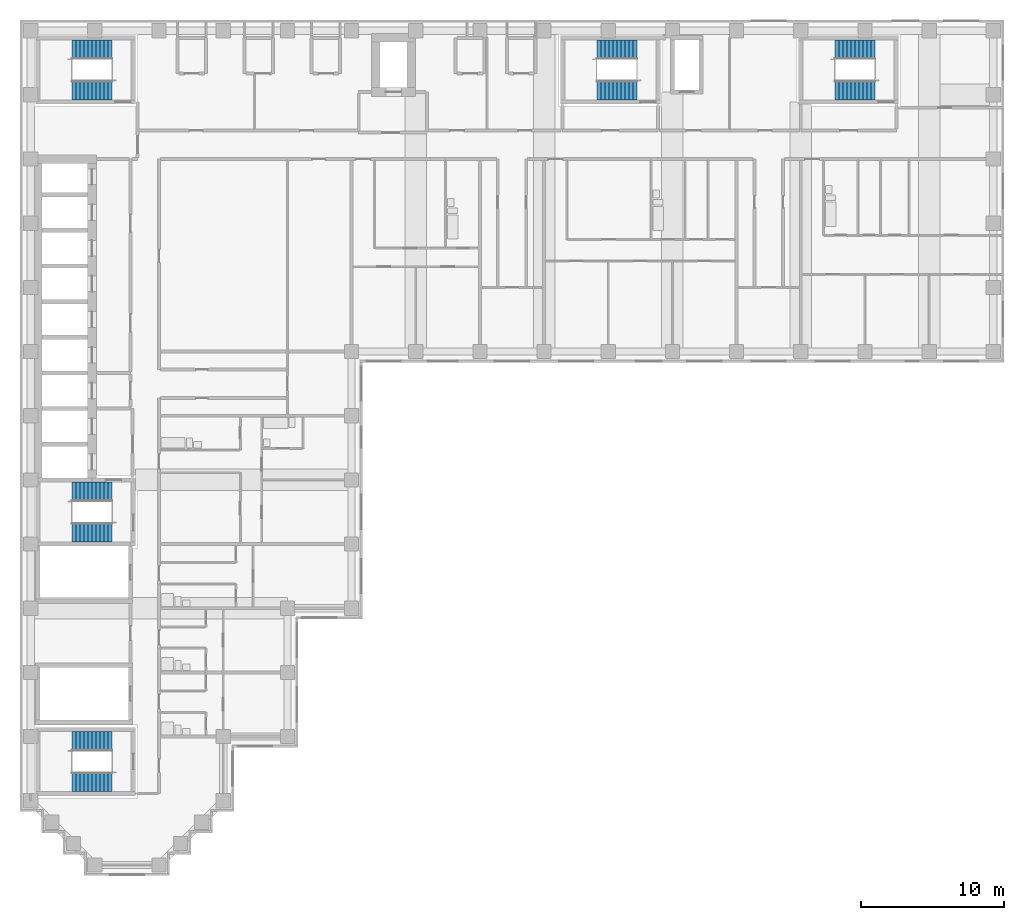
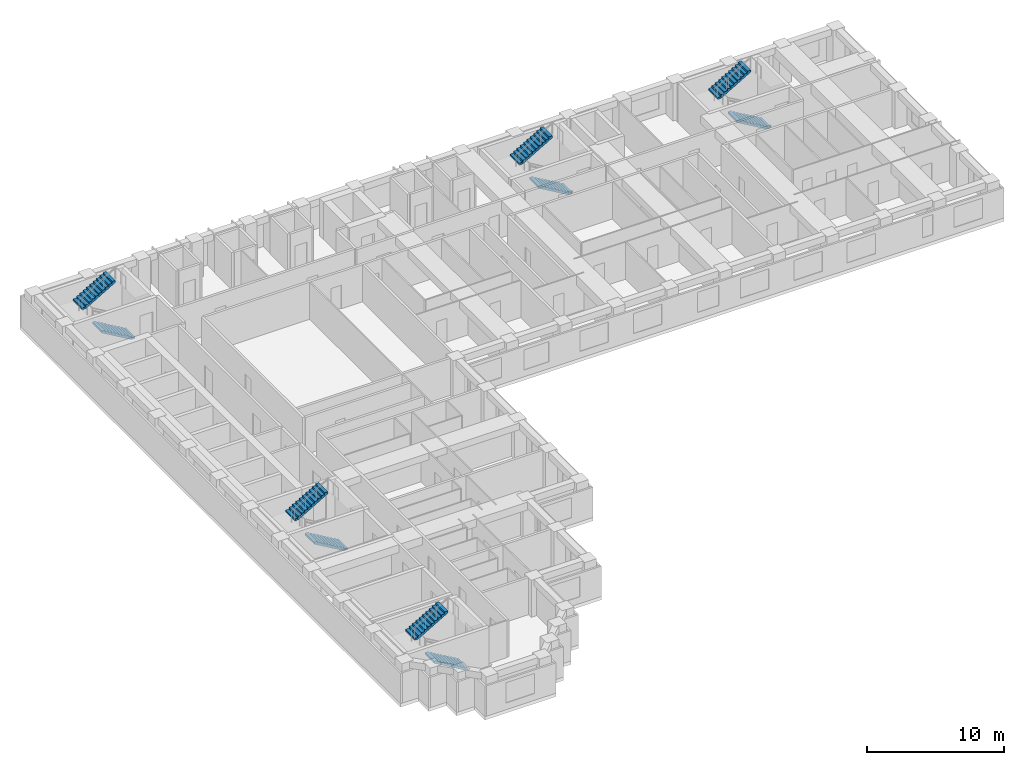
# One storey, part 10 of 12: 10 stair flights, 5 elements without a shape of their own.
"""IFC4 building model written with IfcOpenShell, lengths in metres."""

from ifc_helpers import new_model, si_unit, direction, frame, origin, place, context, subcontext, project, spatial, polyline, outline, extrude, material, type_object, element, aggregate, save


model = new_model("IFC4")

# Units and contexts
model_context = context("Model", 3, precision=1e-05, world=origin(), true_north=direction((0.0, 1.0)))
body_context = subcontext(model_context, "Body", "Model", "MODEL_VIEW")
ifc_project = project(units=[si_unit("LENGTHUNIT", "METRE"), si_unit("AREAUNIT", "SQUARE_METRE"), si_unit("VOLUMEUNIT", "CUBIC_METRE"), si_unit("PLANEANGLEUNIT", "RADIAN"), si_unit("MASSUNIT", "GRAM", prefix="KILO")], contexts=[model_context])

# Site, building, storey
site_placement = place(None, origin())
site = spatial("IfcSite", under=ifc_project, at=site_placement, CompositionType="ELEMENT")
building_placement = place(site_placement, origin())
building = spatial("IfcBuilding", under=site, at=building_placement, Name="Firuza Court", CompositionType="ELEMENT")
storey_placement = place(building_placement, frame((0.0, 0.0, 152.0)))
storey = spatial("IfcBuildingStorey", under=building, at=storey_placement, Name="L38", CompositionType="ELEMENT", Elevation=152.0)

# Stair, stair flights
ifc_material_1 = material(Name="Concrete C40/50 precast", Category="concrete")
stair_type = type_object("IfcStairType", Name="Stair 1350 x 3600 2 flights", PredefinedType="HALF_TURN_STAIR", material=ifc_material_1)
stair_1_placement = place(storey_placement, origin())
stair_1 = element("IfcStair", 1, at=stair_1_placement, inside=storey, type_object=stair_type, Name="Stair 1 L38", PredefinedType="HALF_TURN_STAIR")
ifc_material_2 = material(Name="Concrete C40/50 precast", Category="concrete")
stair_flight_type = type_object("IfcStairFlightType", Name="Flight 1350 riser 163.6", PredefinedType="STRAIGHT", material=ifc_material_2)
stair_flight_1_placement = place(storey_placement, frame((42.5, 54.324951171875, 0.0), z_axis=(0.0, 0.0, 1.0), x_axis=(-1.0, 0.0, 0.0)))
stair_flight_1 = element("IfcStairFlight", 2, at=stair_flight_1_placement, type_object=stair_flight_type, Name="S1 flight 1", NumberOfRisers=11, NumberOfTreads=10, PredefinedType="STRAIGHT", RiserHeight=0.163636364, TreadLength=0.28, context=body_context, shape_type="SweptSolid", body=[
    extrude(outline(polyline([(0.0, 0.0), (0.0, 0.16357421875), (0.280029296875, 0.16357421875), (0.280029296875, 0.327392578125), (0.56005859375, 0.327392578125), (0.56005859375, 0.490966796875), (0.840087890625, 0.490966796875), (0.840087890625, 0.654541015625), (1.1201171875, 0.654541015625), (1.1201171875, 0.818115234375), (1.39990234375, 0.818115234375), (1.39990234375, 0.98193359375), (1.679931640625, 0.98193359375), (1.679931640625, 1.1455078125), (1.9599609375, 1.1455078125), (1.9599609375, 1.30908203125), (2.239990234375, 1.30908203125), (2.239990234375, 1.47265625), (2.52001953125, 1.47265625), (2.52001953125, 1.636474609375), (2.800048828125, 1.636474609375), (2.800048828125, 1.800048828125), (2.800048828125, 1.462646484375), (0.297119140625, 0.0), (0.0, 0.0)])), frame((0.0, 0.675048828125, 0.0), z_axis=(0.0, -1.0, 0.0), x_axis=(1.0, 0.0, 0.0)), (0.0, 0.0, 1.0), 1.35009765625),
])
stair_flight_2_placement = place(storey_placement, frame((39.699951171875, 57.175048828125, 1.800048828125), z_axis=(0.0, 0.0, 1.0), x_axis=(1.0, 0.0, 0.0)))
stair_flight_2 = element("IfcStairFlight", 3, at=stair_flight_2_placement, type_object=stair_flight_type, Name="S1 flight 2", NumberOfRisers=11, NumberOfTreads=10, PredefinedType="STRAIGHT", RiserHeight=0.163636364, TreadLength=0.28, context=body_context, shape_type="SweptSolid", body=[
    extrude(outline(polyline([(0.0, 0.0), (0.0, 0.16357421875), (0.280029296875, 0.16357421875), (0.280029296875, 0.327392578125), (0.56005859375, 0.327392578125), (0.56005859375, 0.490966796875), (0.840087890625, 0.490966796875), (0.840087890625, 0.654541015625), (1.1201171875, 0.654541015625), (1.1201171875, 0.818115234375), (1.39990234375, 0.818115234375), (1.39990234375, 0.98193359375), (1.679931640625, 0.98193359375), (1.679931640625, 1.1455078125), (1.9599609375, 1.1455078125), (1.9599609375, 1.30908203125), (2.239990234375, 1.30908203125), (2.239990234375, 1.47265625), (2.52001953125, 1.47265625), (2.52001953125, 1.636474609375), (2.800048828125, 1.636474609375), (2.800048828125, 1.800048828125), (2.800048828125, 1.462646484375), (0.297119140625, 0.0), (0.0, 0.0)])), frame((0.0, 0.675048828125, 0.0), z_axis=(0.0, -1.0, 0.0), x_axis=(1.0, 0.0, 0.0)), (0.0, 0.0, 1.0), 1.35009765625),
])
aggregate(stair_1, [stair_flight_1, stair_flight_2])

stair_2_placement = place(storey_placement, origin())
stair_2 = element("IfcStair", 4, at=stair_2_placement, inside=storey, type_object=stair_type, Name="Stair 2 L38", PredefinedType="HALF_TURN_STAIR")
stair_flight_3_placement = place(storey_placement, frame((5.699951171875, 23.324951171875, 0.0), z_axis=(0.0, 0.0, 1.0), x_axis=(-1.0, 0.0, 0.0)))
stair_flight_3 = element("IfcStairFlight", 5, at=stair_flight_3_placement, type_object=stair_flight_type, Name="S2 flight 1", NumberOfRisers=11, NumberOfTreads=10, PredefinedType="STRAIGHT", RiserHeight=0.163636364, TreadLength=0.28, context=body_context, shape_type="SweptSolid", body=[
    extrude(outline(polyline([(0.0, 0.0), (0.0, 0.16357421875), (0.280029296875, 0.16357421875), (0.280029296875, 0.327392578125), (0.56005859375, 0.327392578125), (0.56005859375, 0.490966796875), (0.840087890625, 0.490966796875), (0.840087890625, 0.654541015625), (1.1201171875, 0.654541015625), (1.1201171875, 0.818115234375), (1.39990234375, 0.818115234375), (1.39990234375, 0.98193359375), (1.679931640625, 0.98193359375), (1.679931640625, 1.1455078125), (1.9599609375, 1.1455078125), (1.9599609375, 1.30908203125), (2.239990234375, 1.30908203125), (2.239990234375, 1.47265625), (2.52001953125, 1.47265625), (2.52001953125, 1.636474609375), (2.800048828125, 1.636474609375), (2.800048828125, 1.800048828125), (2.800048828125, 1.462646484375), (0.297119140625, 0.0), (0.0, 0.0)])), frame((0.0, 0.675048828125, 0.0), z_axis=(0.0, -1.0, 0.0), x_axis=(1.0, 0.0, 0.0)), (0.0, 0.0, 1.0), 1.35009765625),
])
stair_flight_4_placement = place(storey_placement, frame((2.89990234375, 26.175048828125, 1.800048828125), z_axis=(0.0, 0.0, 1.0), x_axis=(1.0, 0.0, 0.0)))
stair_flight_4 = element("IfcStairFlight", 6, at=stair_flight_4_placement, type_object=stair_flight_type, Name="S2 flight 2", NumberOfRisers=11, NumberOfTreads=10, PredefinedType="STRAIGHT", RiserHeight=0.163636364, TreadLength=0.28, context=body_context, shape_type="SweptSolid", body=[
    extrude(outline(polyline([(0.0, 0.0), (0.0, 0.16357421875), (0.280029296875, 0.16357421875), (0.280029296875, 0.327392578125), (0.56005859375, 0.327392578125), (0.56005859375, 0.490966796875), (0.840087890625, 0.490966796875), (0.840087890625, 0.654541015625), (1.1201171875, 0.654541015625), (1.1201171875, 0.818115234375), (1.39990234375, 0.818115234375), (1.39990234375, 0.98193359375), (1.679931640625, 0.98193359375), (1.679931640625, 1.1455078125), (1.9599609375, 1.1455078125), (1.9599609375, 1.30908203125), (2.239990234375, 1.30908203125), (2.239990234375, 1.47265625), (2.52001953125, 1.47265625), (2.52001953125, 1.636474609375), (2.800048828125, 1.636474609375), (2.800048828125, 1.800048828125), (2.800048828125, 1.462646484375), (0.297119140625, 0.0), (0.0, 0.0)])), frame((0.0, 0.675048828125, 0.0), z_axis=(0.0, -1.0, 0.0), x_axis=(1.0, 0.0, 0.0)), (0.0, 0.0, 1.0), 1.35009765625),
])
aggregate(stair_2, [stair_flight_3, stair_flight_4])

stair_3_placement = place(storey_placement, origin())
stair_3 = element("IfcStair", 7, at=stair_3_placement, inside=storey, type_object=stair_type, Name="Stair 3 L38", PredefinedType="HALF_TURN_STAIR")
stair_flight_5_placement = place(storey_placement, frame((5.699951171875, 54.324951171875, 0.0), z_axis=(0.0, 0.0, 1.0), x_axis=(-1.0, 0.0, 0.0)))
stair_flight_5 = element("IfcStairFlight", 8, at=stair_flight_5_placement, type_object=stair_flight_type, Name="S3 flight 1", NumberOfRisers=11, NumberOfTreads=10, PredefinedType="STRAIGHT", RiserHeight=0.163636364, TreadLength=0.28, context=body_context, shape_type="SweptSolid", body=[
    extrude(outline(polyline([(0.0, 0.0), (0.0, 0.16357421875), (0.280029296875, 0.16357421875), (0.280029296875, 0.327392578125), (0.56005859375, 0.327392578125), (0.56005859375, 0.490966796875), (0.840087890625, 0.490966796875), (0.840087890625, 0.654541015625), (1.1201171875, 0.654541015625), (1.1201171875, 0.818115234375), (1.39990234375, 0.818115234375), (1.39990234375, 0.98193359375), (1.679931640625, 0.98193359375), (1.679931640625, 1.1455078125), (1.9599609375, 1.1455078125), (1.9599609375, 1.30908203125), (2.239990234375, 1.30908203125), (2.239990234375, 1.47265625), (2.52001953125, 1.47265625), (2.52001953125, 1.636474609375), (2.800048828125, 1.636474609375), (2.800048828125, 1.800048828125), (2.800048828125, 1.462646484375), (0.297119140625, 0.0), (0.0, 0.0)])), frame((0.0, 0.675048828125, 0.0), z_axis=(0.0, -1.0, 0.0), x_axis=(1.0, 0.0, 0.0)), (0.0, 0.0, 1.0), 1.35009765625),
])
stair_flight_6_placement = place(storey_placement, frame((2.89990234375, 57.175048828125, 1.800048828125), z_axis=(0.0, 0.0, 1.0), x_axis=(1.0, 0.0, 0.0)))
stair_flight_6 = element("IfcStairFlight", 9, at=stair_flight_6_placement, type_object=stair_flight_type, Name="S3 flight 2", NumberOfRisers=11, NumberOfTreads=10, PredefinedType="STRAIGHT", RiserHeight=0.163636364, TreadLength=0.28, context=body_context, shape_type="SweptSolid", body=[
    extrude(outline(polyline([(0.0, 0.0), (0.0, 0.16357421875), (0.280029296875, 0.16357421875), (0.280029296875, 0.327392578125), (0.56005859375, 0.327392578125), (0.56005859375, 0.490966796875), (0.840087890625, 0.490966796875), (0.840087890625, 0.654541015625), (1.1201171875, 0.654541015625), (1.1201171875, 0.818115234375), (1.39990234375, 0.818115234375), (1.39990234375, 0.98193359375), (1.679931640625, 0.98193359375), (1.679931640625, 1.1455078125), (1.9599609375, 1.1455078125), (1.9599609375, 1.30908203125), (2.239990234375, 1.30908203125), (2.239990234375, 1.47265625), (2.52001953125, 1.47265625), (2.52001953125, 1.636474609375), (2.800048828125, 1.636474609375), (2.800048828125, 1.800048828125), (2.800048828125, 1.462646484375), (0.297119140625, 0.0), (0.0, 0.0)])), frame((0.0, 0.675048828125, 0.0), z_axis=(0.0, -1.0, 0.0), x_axis=(1.0, 0.0, 0.0)), (0.0, 0.0, 1.0), 1.35009765625),
])
aggregate(stair_3, [stair_flight_5, stair_flight_6])

stair_4_placement = place(storey_placement, origin())
stair_4 = element("IfcStair", 10, at=stair_4_placement, inside=storey, type_object=stair_type, Name="Stair 4 L38", PredefinedType="HALF_TURN_STAIR")
stair_flight_7_placement = place(storey_placement, frame((59.199951171875, 54.324951171875, 0.0), z_axis=(0.0, 0.0, 1.0), x_axis=(-1.0, 0.0, 0.0)))
stair_flight_7 = element("IfcStairFlight", 11, at=stair_flight_7_placement, type_object=stair_flight_type, Name="S4 flight 1", NumberOfRisers=11, NumberOfTreads=10, PredefinedType="STRAIGHT", RiserHeight=0.163636364, TreadLength=0.28, context=body_context, shape_type="SweptSolid", body=[
    extrude(outline(polyline([(0.0, 0.0), (0.0, 0.16357421875), (0.280029296875, 0.16357421875), (0.280029296875, 0.327392578125), (0.56005859375, 0.327392578125), (0.56005859375, 0.490966796875), (0.840087890625, 0.490966796875), (0.840087890625, 0.654541015625), (1.1201171875, 0.654541015625), (1.1201171875, 0.818115234375), (1.39990234375, 0.818115234375), (1.39990234375, 0.98193359375), (1.679931640625, 0.98193359375), (1.679931640625, 1.1455078125), (1.9599609375, 1.1455078125), (1.9599609375, 1.30908203125), (2.239990234375, 1.30908203125), (2.239990234375, 1.47265625), (2.52001953125, 1.47265625), (2.52001953125, 1.636474609375), (2.800048828125, 1.636474609375), (2.800048828125, 1.800048828125), (2.800048828125, 1.462646484375), (0.297119140625, 0.0), (0.0, 0.0)])), frame((0.0, 0.675048828125, 0.0), z_axis=(0.0, -1.0, 0.0), x_axis=(1.0, 0.0, 0.0)), (0.0, 0.0, 1.0), 1.35009765625),
])
stair_flight_8_placement = place(storey_placement, frame((56.39990234375, 57.175048828125, 1.800048828125), z_axis=(0.0, 0.0, 1.0), x_axis=(1.0, 0.0, 0.0)))
stair_flight_8 = element("IfcStairFlight", 12, at=stair_flight_8_placement, type_object=stair_flight_type, Name="S4 flight 2", NumberOfRisers=11, NumberOfTreads=10, PredefinedType="STRAIGHT", RiserHeight=0.163636364, TreadLength=0.28, context=body_context, shape_type="SweptSolid", body=[
    extrude(outline(polyline([(0.0, 0.0), (0.0, 0.16357421875), (0.280029296875, 0.16357421875), (0.280029296875, 0.327392578125), (0.56005859375, 0.327392578125), (0.56005859375, 0.490966796875), (0.840087890625, 0.490966796875), (0.840087890625, 0.654541015625), (1.1201171875, 0.654541015625), (1.1201171875, 0.818115234375), (1.39990234375, 0.818115234375), (1.39990234375, 0.98193359375), (1.679931640625, 0.98193359375), (1.679931640625, 1.1455078125), (1.9599609375, 1.1455078125), (1.9599609375, 1.30908203125), (2.239990234375, 1.30908203125), (2.239990234375, 1.47265625), (2.52001953125, 1.47265625), (2.52001953125, 1.636474609375), (2.800048828125, 1.636474609375), (2.800048828125, 1.800048828125), (2.800048828125, 1.462646484375), (0.297119140625, 0.0), (0.0, 0.0)])), frame((0.0, 0.675048828125, 0.0), z_axis=(0.0, -1.0, 0.0), x_axis=(1.0, 0.0, 0.0)), (0.0, 0.0, 1.0), 1.35009765625),
])
aggregate(stair_4, [stair_flight_7, stair_flight_8])

stair_5_placement = place(storey_placement, origin())
stair_5 = element("IfcStair", 13, at=stair_5_placement, inside=storey, type_object=stair_type, Name="Stair 5 L38", PredefinedType="HALF_TURN_STAIR")
stair_flight_9_placement = place(storey_placement, frame((5.699951171875, 5.824951171875, 0.0), z_axis=(0.0, 0.0, 1.0), x_axis=(-1.0, 0.0, 0.0)))
stair_flight_9 = element("IfcStairFlight", 14, at=stair_flight_9_placement, type_object=stair_flight_type, Name="S5 flight 1", NumberOfRisers=11, NumberOfTreads=10, PredefinedType="STRAIGHT", RiserHeight=0.163636364, TreadLength=0.28, context=body_context, shape_type="SweptSolid", body=[
    extrude(outline(polyline([(0.0, 0.0), (0.0, 0.16357421875), (0.280029296875, 0.16357421875), (0.280029296875, 0.327392578125), (0.56005859375, 0.327392578125), (0.56005859375, 0.490966796875), (0.840087890625, 0.490966796875), (0.840087890625, 0.654541015625), (1.1201171875, 0.654541015625), (1.1201171875, 0.818115234375), (1.39990234375, 0.818115234375), (1.39990234375, 0.98193359375), (1.679931640625, 0.98193359375), (1.679931640625, 1.1455078125), (1.9599609375, 1.1455078125), (1.9599609375, 1.30908203125), (2.239990234375, 1.30908203125), (2.239990234375, 1.47265625), (2.52001953125, 1.47265625), (2.52001953125, 1.636474609375), (2.800048828125, 1.636474609375), (2.800048828125, 1.800048828125), (2.800048828125, 1.462646484375), (0.297119140625, 0.0), (0.0, 0.0)])), frame((0.0, 0.675048828125, 0.0), z_axis=(0.0, -1.0, 0.0), x_axis=(1.0, 0.0, 0.0)), (0.0, 0.0, 1.0), 1.35009765625),
])
stair_flight_10_placement = place(storey_placement, frame((2.89990234375, 8.675048828125, 1.800048828125), z_axis=(0.0, 0.0, 1.0), x_axis=(1.0, 0.0, 0.0)))
stair_flight_10 = element("IfcStairFlight", 15, at=stair_flight_10_placement, type_object=stair_flight_type, Name="S5 flight 2", NumberOfRisers=11, NumberOfTreads=10, PredefinedType="STRAIGHT", RiserHeight=0.163636364, TreadLength=0.28, context=body_context, shape_type="SweptSolid", body=[
    extrude(outline(polyline([(0.0, 0.0), (0.0, 0.16357421875), (0.280029296875, 0.16357421875), (0.280029296875, 0.327392578125), (0.56005859375, 0.327392578125), (0.56005859375, 0.490966796875), (0.840087890625, 0.490966796875), (0.840087890625, 0.654541015625), (1.1201171875, 0.654541015625), (1.1201171875, 0.818115234375), (1.39990234375, 0.818115234375), (1.39990234375, 0.98193359375), (1.679931640625, 0.98193359375), (1.679931640625, 1.1455078125), (1.9599609375, 1.1455078125), (1.9599609375, 1.30908203125), (2.239990234375, 1.30908203125), (2.239990234375, 1.47265625), (2.52001953125, 1.47265625), (2.52001953125, 1.636474609375), (2.800048828125, 1.636474609375), (2.800048828125, 1.800048828125), (2.800048828125, 1.462646484375), (0.297119140625, 0.0), (0.0, 0.0)])), frame((0.0, 0.675048828125, 0.0), z_axis=(0.0, -1.0, 0.0), x_axis=(1.0, 0.0, 0.0)), (0.0, 0.0, 1.0), 1.35009765625),
])
aggregate(stair_5, [stair_flight_9, stair_flight_10])

save(model, "model.ifc")
